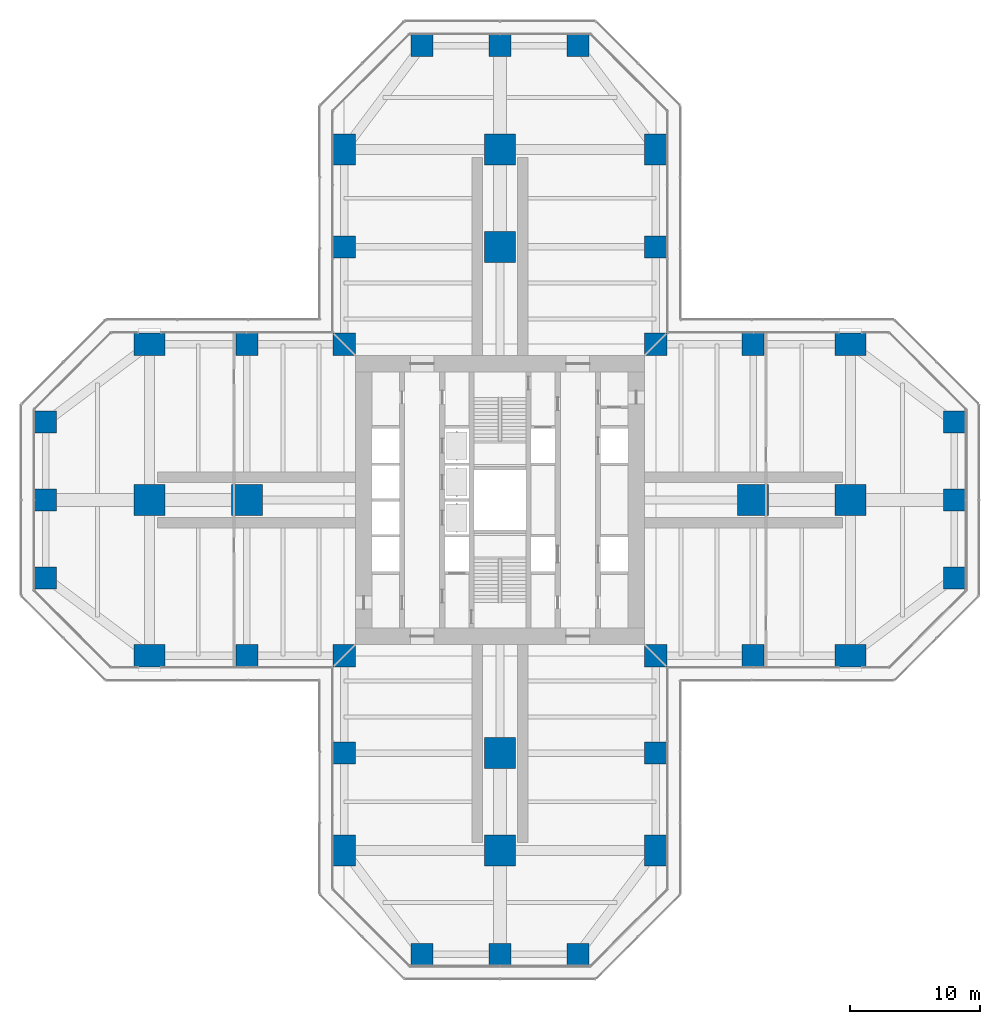
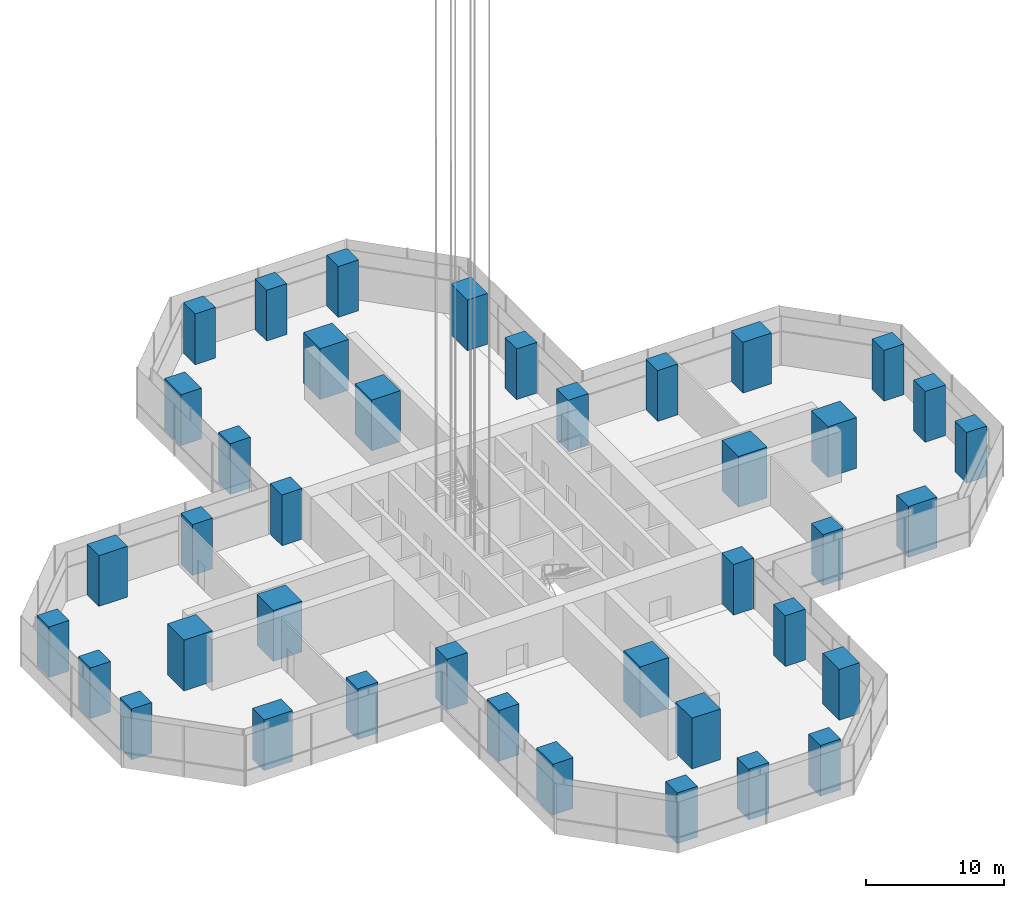
# One storey, part 1 of 27: 40 columns.
"""IFC4 building model written with IfcOpenShell, lengths in metres."""

from ifc_helpers import new_model, si_unit, direction, frame, origin, origin_2d, place, context, subcontext, project, spatial, rectangle, extrude, material, material_profile, profile_set, type_object, element, save


model = new_model("IFC4")

# Units and contexts
model_context = context("Model", 3, precision=1e-05, world=origin(), true_north=direction((0.0, 1.0)))
body_context = subcontext(model_context, "Body", "Model", "MODEL_VIEW")
ifc_project = project(units=[si_unit("LENGTHUNIT", "METRE"), si_unit("AREAUNIT", "SQUARE_METRE"), si_unit("VOLUMEUNIT", "CUBIC_METRE"), si_unit("PLANEANGLEUNIT", "RADIAN"), si_unit("MASSUNIT", "GRAM", prefix="KILO")], contexts=[model_context])

# Site, building, storey
site_placement = place(None, origin())
site = spatial("IfcSite", under=ifc_project, at=site_placement, CompositionType="ELEMENT")
building_placement = place(site_placement, origin())
building = spatial("IfcBuilding", under=site, at=building_placement, Name="Mizan Broadcast Tower", CompositionType="ELEMENT")
storey_placement = place(building_placement, frame((0.0, 0.0, 113.699951171875)))
storey = spatial("IfcBuildingStorey", under=building, at=storey_placement, Name="L25", CompositionType="ELEMENT", Elevation=113.699951171875)

# Columns
ifc_material_1 = material(Name="Concrete C70/85", Category="concrete")
ifc_material_profile_1 = material_profile(ifc_material_1, rectangle(XDim=1.699951171875, YDim=1.699951171875, at=origin_2d()), Name="RC 1700x1700")
ifc_profile_set_1 = profile_set([ifc_material_profile_1], Name="Concrete C70/85")
column_type_1 = type_object("IfcColumnType", Name="RC COLUMN 1700x1700 C70/85", PredefinedType="COLUMN", material=ifc_profile_set_1)
for number, where, z_axis, x_axis, name in (
    (1, (-6.0, -35.0, 0.0), (0.0, 0.0, 1.0), (1.0, 0.0, 0.0), "Column 5/A L25"),
    (2, (0.0, -35.0, 0.0), (0.0, 0.0, 1.0), (1.0, 0.0, 0.0), "Column 6/A L25"),
    (3, (6.0, -35.0, 0.0), (0.0, 0.0, 1.0), (1.0, 0.0, 0.0), "Column 7/A L25"),
    (4, (-12.0, -19.5, 0.0), (0.0, 0.0, 1.0), (1.0, 0.0, 0.0), "Column 4/C L25"),
    (5, (12.0, -19.5, 0.0), (0.0, 0.0, 1.0), (1.0, 0.0, 0.0), "Column 8/C L25"),
    (6, (-19.5, -12.0, 0.0), (0.0, 0.0, 1.0), (1.0, 0.0, 0.0), "Column 3/D L25"),
    (7, (-12.0, -12.0, 0.0), (0.0, 0.0, 1.0), (1.0, 0.0, 0.0), "Column 4/D L25"),
    (8, (12.0, -12.0, 0.0), (0.0, 0.0, 1.0), (1.0, 0.0, 0.0), "Column 8/D L25"),
    (9, (19.5, -12.0, 0.0), (0.0, 0.0, 1.0), (1.0, 0.0, 0.0), "Column 9/D L25"),
    (10, (-35.0, -6.0, 0.0), (0.0, 0.0, 1.0), (1.0, 0.0, 0.0), "Column 1/E L25"),
    (11, (35.0, -6.0, 0.0), (0.0, 0.0, 1.0), (1.0, 0.0, 0.0), "Column 11/E L25"),
    (12, (-35.0, 0.0, 0.0), (0.0, 0.0, 1.0), (1.0, 0.0, 0.0), "Column 1/F L25"),
    (13, (35.0, 0.0, 0.0), (0.0, 0.0, 1.0), (1.0, 0.0, 0.0), "Column 11/F L25"),
    (14, (-35.0, 6.0, 0.0), (0.0, 0.0, 1.0), (1.0, 0.0, 0.0), "Column 1/G L25"),
    (15, (35.0, 6.0, 0.0), (0.0, 0.0, 1.0), (1.0, 0.0, 0.0), "Column 11/G L25"),
    (16, (-19.5, 12.0, 0.0), (0.0, 0.0, 1.0), (1.0, 0.0, 0.0), "Column 3/H L25"),
    (17, (-12.0, 12.0, 0.0), (0.0, 0.0, 1.0), (1.0, 0.0, 0.0), "Column 4/H L25"),
    (18, (12.0, 12.0, 0.0), (0.0, 0.0, 1.0), (1.0, 0.0, 0.0), "Column 8/H L25"),
    (19, (19.5, 12.0, 0.0), (0.0, 0.0, 1.0), (1.0, 0.0, 0.0), "Column 9/H L25"),
    (20, (-12.0, 19.5, 0.0), (0.0, 0.0, 1.0), (1.0, 0.0, 0.0), "Column 4/J L25"),
    (21, (12.0, 19.5, 0.0), (0.0, 0.0, 1.0), (1.0, 0.0, 0.0), "Column 8/J L25"),
    (22, (-6.0, 35.0, 0.0), (0.0, 0.0, 1.0), (1.0, 0.0, 0.0), "Column 5/L L25"),
    (23, (0.0, 35.0, 0.0), (0.0, 0.0, 1.0), (1.0, 0.0, 0.0), "Column 6/L L25"),
    (24, (6.0, 35.0, 0.0), (0.0, 0.0, 1.0), (1.0, 0.0, 0.0), "Column 7/L L25"),
):
    element("IfcColumn", number, at=place(storey_placement, frame(where, z_axis=z_axis, x_axis=x_axis)), inside=storey, type_object=column_type_1, Name=name, PredefinedType="COLUMN", context=body_context, shape_type="SweptSolid", body=[
        extrude(rectangle(XDim=1.699951171875, YDim=1.699951171875, at=origin_2d()), origin(), (0.0, 0.0, 1.0), 4.5),
    ])
ifc_material_2 = material(Name="Concrete C70/85", Category="concrete")
ifc_material_profile_2 = material_profile(ifc_material_2, rectangle(XDim=1.699951171875, YDim=2.39990234375, at=origin_2d()), Name="RC 1700x2400")
ifc_profile_set_2 = profile_set([ifc_material_profile_2], Name="Concrete C70/85")
column_type_2 = type_object("IfcColumnType", Name="RC COLUMN 1700x2400 C70/85", PredefinedType="COLUMN", material=ifc_profile_set_2)
for number, where, z_axis, x_axis, name in (
    (25, (-12.0, -27.0, 0.0), (0.0, 0.0, 1.0), (1.0, 0.0, 0.0), "Column 4/B L25"),
    (26, (12.0, -27.0, 0.0), (0.0, 0.0, 1.0), (1.0, 0.0, 0.0), "Column 8/B L25"),
    (27, (-27.0, -12.0, 0.0), (0.0, 0.0, 1.0), (0.0, 1.0, 0.0), "Column 2/D L25"),
    (28, (27.0, -12.0, 0.0), (0.0, 0.0, 1.0), (0.0, 1.0, 0.0), "Column 10/D L25"),
    (29, (-27.0, 12.0, 0.0), (0.0, 0.0, 1.0), (0.0, 1.0, 0.0), "Column 2/H L25"),
    (30, (27.0, 12.0, 0.0), (0.0, 0.0, 1.0), (0.0, 1.0, 0.0), "Column 10/H L25"),
    (31, (-12.0, 27.0, 0.0), (0.0, 0.0, 1.0), (1.0, 0.0, 0.0), "Column 4/K L25"),
    (32, (12.0, 27.0, 0.0), (0.0, 0.0, 1.0), (1.0, 0.0, 0.0), "Column 8/K L25"),
):
    element("IfcColumn", number, at=place(storey_placement, frame(where, z_axis=z_axis, x_axis=x_axis)), inside=storey, type_object=column_type_2, Name=name, PredefinedType="COLUMN", context=body_context, shape_type="SweptSolid", body=[
        extrude(rectangle(XDim=1.699951171875, YDim=2.39990234375, at=origin_2d()), origin(), (0.0, 0.0, 1.0), 4.5),
    ])
ifc_material_3 = material(Name="Concrete C70/85", Category="concrete")
ifc_material_profile_3 = material_profile(ifc_material_3, rectangle(XDim=2.39990234375, YDim=2.39990234375, at=origin_2d()), Name="RC 2400x2400")
ifc_profile_set_3 = profile_set([ifc_material_profile_3], Name="Concrete C70/85")
column_type_3 = type_object("IfcColumnType", Name="RC COLUMN 2400x2400 C70/85", PredefinedType="COLUMN", material=ifc_profile_set_3)
for number, where, z_axis, x_axis, name in (
    (33, (0.0, -27.0, 0.0), (0.0, 0.0, 1.0), (1.0, 0.0, 0.0), "Column 6/B L25"),
    (34, (0.0, -19.5, 0.0), (0.0, 0.0, 1.0), (1.0, 0.0, 0.0), "Column 6/C L25"),
    (35, (-27.0, 0.0, 0.0), (0.0, 0.0, 1.0), (1.0, 0.0, 0.0), "Column 2/F L25"),
    (36, (-19.5, 0.0, 0.0), (0.0, 0.0, 1.0), (1.0, 0.0, 0.0), "Column 3/F L25"),
    (37, (19.5, 0.0, 0.0), (0.0, 0.0, 1.0), (1.0, 0.0, 0.0), "Column 9/F L25"),
    (38, (27.0, 0.0, 0.0), (0.0, 0.0, 1.0), (1.0, 0.0, 0.0), "Column 10/F L25"),
    (39, (0.0, 19.5, 0.0), (0.0, 0.0, 1.0), (1.0, 0.0, 0.0), "Column 6/J L25"),
    (40, (0.0, 27.0, 0.0), (0.0, 0.0, 1.0), (1.0, 0.0, 0.0), "Column 6/K L25"),
):
    element("IfcColumn", number, at=place(storey_placement, frame(where, z_axis=z_axis, x_axis=x_axis)), inside=storey, type_object=column_type_3, Name=name, PredefinedType="COLUMN", context=body_context, shape_type="SweptSolid", body=[
        extrude(rectangle(XDim=2.39990234375, YDim=2.39990234375, at=origin_2d()), origin(), (0.0, 0.0, 1.0), 4.5),
    ])

save(model, "model.ifc")
